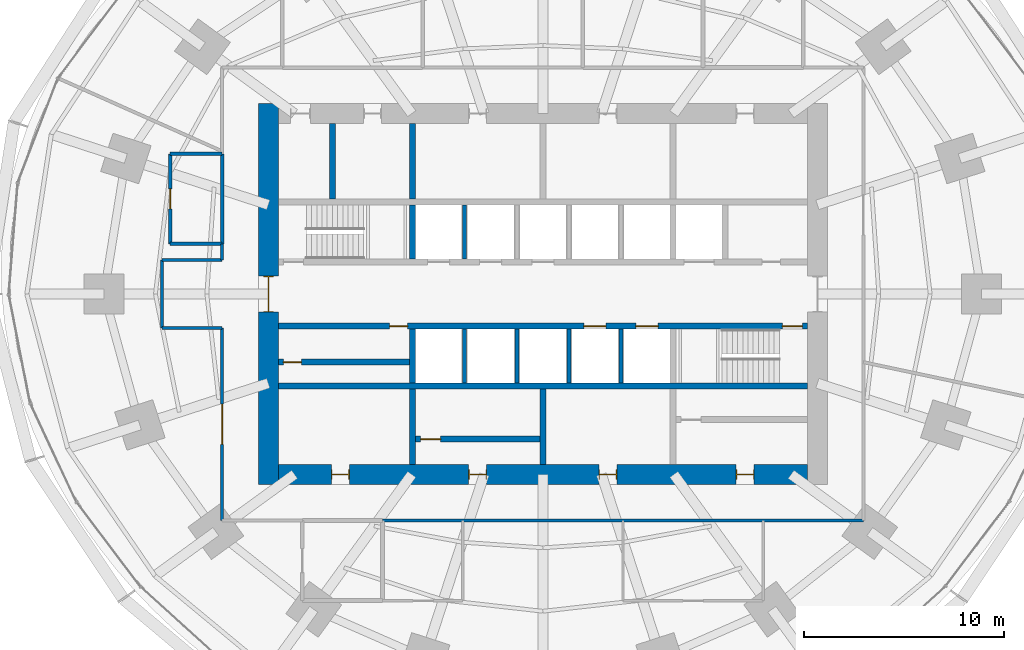
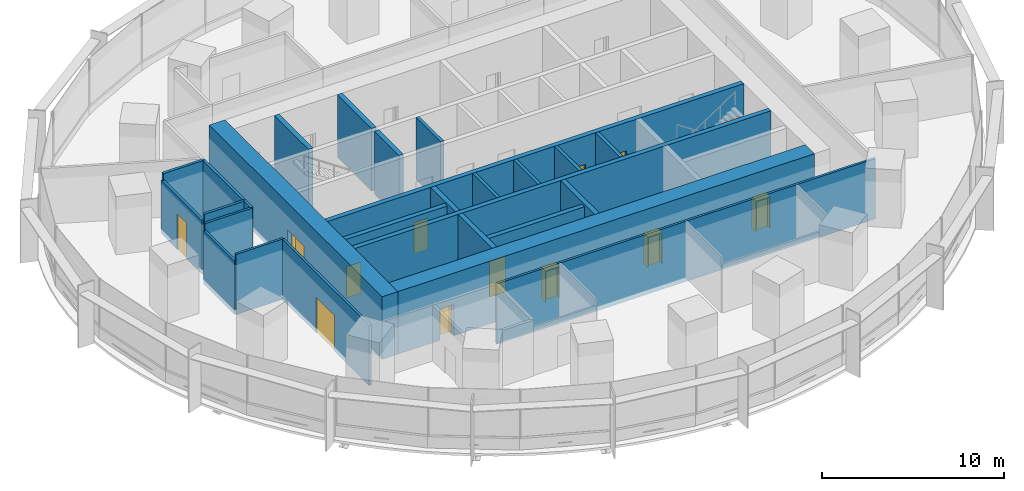
# One storey, part 11 of 15: 27 walls, 13 doors, 13 openings.
"""IFC4 building model written with IfcOpenShell, lengths in metres."""

from ifc_helpers import new_model, si_unit, direction, frame, frame_2d, origin, place, context, subcontext, project, spatial, rectangle, extrude, material, layer, layer_set, type_object, element, fill, save


model = new_model("IFC4")

# Units and contexts
model_context = context("Model", 3, precision=1e-05, world=origin(), true_north=direction((0.0, 1.0)))
body_context = subcontext(model_context, "Body", "Model", "MODEL_VIEW")
ifc_project = project(units=[si_unit("LENGTHUNIT", "METRE"), si_unit("AREAUNIT", "SQUARE_METRE"), si_unit("VOLUMEUNIT", "CUBIC_METRE"), si_unit("PLANEANGLEUNIT", "RADIAN"), si_unit("MASSUNIT", "GRAM", prefix="KILO")], contexts=[model_context])

# Site, building, storey
site_placement = place(None, origin())
site = spatial("IfcSite", under=ifc_project, at=site_placement, CompositionType="ELEMENT")
building_placement = place(site_placement, origin())
building = spatial("IfcBuilding", under=site, at=building_placement, Name="Marramba Exchange Tower", CompositionType="ELEMENT")
storey_placement = place(building_placement, frame((0.0, 0.0, 36.39990234375)))
storey = spatial("IfcBuildingStorey", under=building, at=storey_placement, Name="L08", CompositionType="ELEMENT", Elevation=36.39990234375)

# Walls
ifc_material_1 = material(Name="Plasterboard on staggered double steel studs, acoustic insulation", Category="steel")
ifc_layer_1 = layer(ifc_material_1, 0.169921875)
ifc_layer_set_1 = layer_set([ifc_layer_1], Name="Acoustic partition 170")
wall_type_1 = type_object("IfcWallType", Name="Acoustic partition 170", PredefinedType="PARTITIONING", material=ifc_layer_set_1)
wall_1_placement = place(storey_placement, frame((-16.0, 7.0, 0.0), z_axis=(0.0, 0.0, 1.0), x_axis=(-1.0, 0.0, 0.0)))
element("IfcWall", 1, at=wall_1_placement, inside=storey, type_object=wall_type_1, Name="Acoustic partition L08 32", PredefinedType="PARTITIONING", context=body_context, shape_type="SweptSolid", body=[
    extrude(rectangle(XDim=2.60009765625, YDim=0.169921875, at=frame_2d((1.300048828125, 0.0))), origin(), (0.0, 0.0, 1.0), 4.0400390625),
])
wall_2_placement = place(storey_placement, frame((-16.0, 2.5, 0.0), z_axis=(0.0, 0.0, 1.0), x_axis=(0.0, 1.0, 0.0)))
element("IfcWall", 2, at=wall_2_placement, inside=storey, type_object=wall_type_1, Name="Acoustic partition L08 33", PredefinedType="PARTITIONING", context=body_context, shape_type="SweptSolid", body=[
    extrude(rectangle(XDim=4.5, YDim=0.169921875, at=frame_2d((2.25, 0.0))), origin(), (0.0, 0.0, 1.0), 4.0400390625),
])

# Wall, opening, door
wall_3_placement = place(storey_placement, frame((-18.60009765625, 7.0, 0.0), z_axis=(0.0, 0.0, 1.0), x_axis=(0.0, -1.0, 0.0)))
wall_3 = element("IfcWall", 3, at=wall_3_placement, inside=storey, type_object=wall_type_1, Name="Acoustic partition L08 34", PredefinedType="PARTITIONING", context=body_context, shape_type="SweptSolid", body=[
    extrude(rectangle(XDim=4.5, YDim=0.169921875, at=frame_2d((2.25, 0.0))), origin(), (0.0, 0.0, 1.0), 3.586181640625),
])
opening_1_placement = place(wall_3_placement, frame((1.75, 0.0, 0.0)))
opening_1 = element("IfcOpeningElement", 4, at=opening_1_placement, cuts=wall_3, Name="Opening D9", PredefinedType="OPENING", context=body_context, shape_type="SweptSolid", body=[
    extrude(rectangle(XDim=1.0, YDim=2.39990234375, at=frame_2d((0.5, 1.199951171875))), frame((0.0, 0.094970703125, 0.0), z_axis=(0.0, -1.0, 0.0), x_axis=(1.0, 0.0, 0.0)), (0.0, 0.0, 1.0), 0.18994140625),
])
ifc_material_2 = material(Name="Timber door", Category="wood")
door_type_1 = type_object("IfcDoorType", Name="Room door 1000x2400", OperationType="SINGLE_SWING_LEFT", PredefinedType="DOOR", material=ifc_material_2)
door_1_placement = place(opening_1_placement, origin())
door_1 = element("IfcDoor", 5, at=door_1_placement, inside=storey, type_object=door_type_1, Name="D9 Interview Room L08", OperationType="SINGLE_SWING_RIGHT", OverallHeight=2.39990234375, OverallWidth=1.0, PredefinedType="DOOR", context=body_context, shape_type="SweptSolid", body=[
    extrude(rectangle(XDim=1.0, YDim=2.39990234375, at=frame_2d((0.5, 1.199951171875))), frame((0.0, 0.02490234375, 0.0), z_axis=(0.0, -1.0, 0.0), x_axis=(1.0, 0.0, 0.0)), (0.0, 0.0, 1.0), 0.050048828125),
])
fill(opening_1, door_1)

# Walls
wall_4_placement = place(storey_placement, frame((-18.60009765625, 2.5, 0.0), z_axis=(0.0, 0.0, 1.0), x_axis=(1.0, 0.0, 0.0)))
element("IfcWall", 6, at=wall_4_placement, inside=storey, type_object=wall_type_1, Name="Acoustic partition L08 35", PredefinedType="PARTITIONING", context=body_context, shape_type="SweptSolid", body=[
    extrude(rectangle(XDim=2.60009765625, YDim=0.169921875, at=frame_2d((1.300048828125, 0.0))), origin(), (0.0, 0.0, 1.0), 4.0400390625),
])
ifc_material_3 = material(Name="Concrete N50", Category="concrete")
ifc_layer_2 = layer(ifc_material_3, 0.199951171875)
ifc_layer_set_2 = layer_set([ifc_layer_2], Name="Core shaft wall 200")
wall_type_2 = type_object("IfcWallType", Name="Core shaft wall 200", PredefinedType="SHEAR", material=ifc_layer_set_2)
for number, where, z_axis, x_axis, name in (
    (7, (-3.89990234375, 1.75, 0.0), (0.0, 0.0, 1.0), (0.0, 1.0, 0.0), "Core wall SHN1 L08"),
    (8, (-3.89990234375, -1.75, 0.0), (0.0, 0.0, 1.0), (0.0, -1.0, 0.0), "Core wall SHS1 L08"),
    (9, (-1.300048828125, -1.75, 0.0), (0.0, 0.0, 1.0), (0.0, -1.0, 0.0), "Core wall SHS2 L08"),
    (10, (1.300048828125, -1.75, 0.0), (0.0, 0.0, 1.0), (0.0, -1.0, 0.0), "Core wall SHS3 L08"),
    (11, (3.89990234375, -1.75, 0.0), (0.0, 0.0, 1.0), (0.0, -1.0, 0.0), "Core wall SHS4 L08"),
):
    element("IfcWall", number, at=place(storey_placement, frame(where, z_axis=z_axis, x_axis=x_axis)), inside=storey, type_object=wall_type_2, Name=name, PredefinedType="SHEAR", context=body_context, shape_type="SweptSolid", body=[
        extrude(rectangle(XDim=2.699951171875, YDim=0.199951171875, at=frame_2d((1.35009765625, 0.0))), origin(), (0.0, 0.0, 1.0), 4.2001953125),
    ])

# Wall, openings, doors
ifc_layer_3 = layer(ifc_material_3, 1.0)
ifc_layer_set_3 = layer_set([ifc_layer_3], Name="Core wall 1000")
wall_type_3 = type_object("IfcWallType", Name="Core wall 1000", PredefinedType="SHEAR", material=ifc_layer_set_3)
wall_5_placement = place(storey_placement, frame((-13.199951171875, -9.0, 0.0), z_axis=(0.0, 0.0, 1.0), x_axis=(1.0, 0.0, 0.0)))
wall_5 = element("IfcWall", 12, at=wall_5_placement, inside=storey, type_object=wall_type_3, Name="Core wall S L08", PredefinedType="SHEAR", context=body_context, shape_type="SweptSolid", body=[
    extrude(rectangle(XDim=26.39990234375, YDim=1.0, at=frame_2d((13.199951171875, 0.0))), origin(), (0.0, 0.0, 1.0), 4.2001953125),
])
opening_2_placement = place(wall_5_placement, frame((2.64990234375, 0.0, 0.0)))
opening_2 = element("IfcOpeningElement", 13, at=opening_2_placement, cuts=wall_5, Name="Opening D5", PredefinedType="OPENING", context=body_context, shape_type="SweptSolid", body=[
    extrude(rectangle(XDim=0.89990234375, YDim=2.10009765625, at=frame_2d((0.449951171875, 1.050048828125))), frame((0.0, 0.510009765625, 0.0), z_axis=(0.0, -1.0, 0.0), x_axis=(1.0, 0.0, 0.0)), (0.0, 0.0, 1.0), 1.02001953125),
])
opening_3_placement = place(wall_5_placement, frame((9.5, 0.0, 0.0)))
opening_3 = element("IfcOpeningElement", 14, at=opening_3_placement, cuts=wall_5, Name="Opening D5", PredefinedType="OPENING", context=body_context, shape_type="SweptSolid", body=[
    extrude(rectangle(XDim=0.89990234375, YDim=2.10009765625, at=frame_2d((0.449951171875, 1.050048828125))), frame((0.0, 0.510009765625, 0.0), z_axis=(0.0, -1.0, 0.0), x_axis=(1.0, 0.0, 0.0)), (0.0, 0.0, 1.0), 1.02001953125),
])
opening_4_placement = place(wall_5_placement, frame((16.0, 0.0, 0.0)))
opening_4 = element("IfcOpeningElement", 15, at=opening_4_placement, cuts=wall_5, Name="Opening D5", PredefinedType="OPENING", context=body_context, shape_type="SweptSolid", body=[
    extrude(rectangle(XDim=0.89990234375, YDim=2.10009765625, at=frame_2d((0.449951171875, 1.050048828125))), frame((0.0, 0.510009765625, 0.0), z_axis=(0.0, -1.0, 0.0), x_axis=(1.0, 0.0, 0.0)), (0.0, 0.0, 1.0), 1.02001953125),
])
opening_5_placement = place(wall_5_placement, frame((22.85009765625, 0.0, 0.0)))
opening_5 = element("IfcOpeningElement", 16, at=opening_5_placement, cuts=wall_5, Name="Opening D5", PredefinedType="OPENING", context=body_context, shape_type="SweptSolid", body=[
    extrude(rectangle(XDim=0.89990234375, YDim=2.10009765625, at=frame_2d((0.449951171875, 1.050048828125))), frame((0.0, 0.510009765625, 0.0), z_axis=(0.0, -1.0, 0.0), x_axis=(1.0, 0.0, 0.0)), (0.0, 0.0, 1.0), 1.02001953125),
])
ifc_material_4 = material(Name="Steel-framed door", Category="steel")
door_type_2 = type_object("IfcDoorType", Name="Service door 900x2100", OperationType="SINGLE_SWING_LEFT", PredefinedType="DOOR", material=ifc_material_4)
door_2_placement = place(opening_2_placement, origin())
door_2 = element("IfcDoor", 17, at=door_2_placement, inside=storey, type_object=door_type_2, Name="D5 ahu L08", OperationType="SINGLE_SWING_LEFT", OverallHeight=2.10009765625, OverallWidth=0.89990234375, PredefinedType="DOOR", context=body_context, shape_type="SweptSolid", body=[
    extrude(rectangle(XDim=0.81982421875, YDim=2.06005859375, at=frame_2d((0.449951171875, 1.030029296875))), frame((0.0, 0.02490234375, 0.0), z_axis=(0.0, -1.0, 0.0), x_axis=(1.0, 0.0, 0.0)), (0.0, 0.0, 1.0), 0.050048828125),
    extrude(rectangle(XDim=0.04, YDim=2.10009765625, at=frame_2d((0.02001953125, 1.050048828125))), frame((0.0, 0.25, 0.0), z_axis=(0.0, -1.0, 0.0), x_axis=(1.0, 0.0, 0.0)), (0.0, 0.0, 1.0), 0.5),
    extrude(rectangle(XDim=0.04, YDim=2.10009765625, at=frame_2d((0.8798828125, 1.050048828125))), frame((0.0, 0.25, 0.0), z_axis=(0.0, -1.0, 0.0), x_axis=(1.0, 0.0, 0.0)), (0.0, 0.0, 1.0), 0.5),
    extrude(rectangle(XDim=0.81982421875, YDim=0.04, at=frame_2d((0.449951171875, 2.080078125))), frame((0.0, 0.25, 0.0), z_axis=(0.0, -1.0, 0.0), x_axis=(1.0, 0.0, 0.0)), (0.0, 0.0, 1.0), 0.5),
])
fill(opening_2, door_2)
door_3_placement = place(opening_3_placement, origin())
door_3 = element("IfcDoor", 18, at=door_3_placement, inside=storey, type_object=door_type_2, Name="D5 store L08", OperationType="SINGLE_SWING_RIGHT", OverallHeight=2.10009765625, OverallWidth=0.89990234375, PredefinedType="DOOR", context=body_context, shape_type="SweptSolid", body=[
    extrude(rectangle(XDim=0.81982421875, YDim=2.06005859375, at=frame_2d((0.449951171875, 1.030029296875))), frame((0.0, 0.02490234375, 0.0), z_axis=(0.0, -1.0, 0.0), x_axis=(1.0, 0.0, 0.0)), (0.0, 0.0, 1.0), 0.050048828125),
    extrude(rectangle(XDim=0.04, YDim=2.10009765625, at=frame_2d((0.02001953125, 1.050048828125))), frame((0.0, 0.25, 0.0), z_axis=(0.0, -1.0, 0.0), x_axis=(1.0, 0.0, 0.0)), (0.0, 0.0, 1.0), 0.5),
    extrude(rectangle(XDim=0.04, YDim=2.10009765625, at=frame_2d((0.8798828125, 1.050048828125))), frame((0.0, 0.25, 0.0), z_axis=(0.0, -1.0, 0.0), x_axis=(1.0, 0.0, 0.0)), (0.0, 0.0, 1.0), 0.5),
    extrude(rectangle(XDim=0.81982421875, YDim=0.04, at=frame_2d((0.449951171875, 2.080078125))), frame((0.0, 0.25, 0.0), z_axis=(0.0, -1.0, 0.0), x_axis=(1.0, 0.0, 0.0)), (0.0, 0.0, 1.0), 0.5),
])
fill(opening_3, door_3)
door_4_placement = place(opening_4_placement, origin())
door_4 = element("IfcDoor", 19, at=door_4_placement, inside=storey, type_object=door_type_2, Name="D5 switch L08", OperationType="SINGLE_SWING_RIGHT", OverallHeight=2.10009765625, OverallWidth=0.89990234375, PredefinedType="DOOR", context=body_context, shape_type="SweptSolid", body=[
    extrude(rectangle(XDim=0.81982421875, YDim=2.06005859375, at=frame_2d((0.449951171875, 1.030029296875))), frame((0.0, 0.02490234375, 0.0), z_axis=(0.0, -1.0, 0.0), x_axis=(1.0, 0.0, 0.0)), (0.0, 0.0, 1.0), 0.050048828125),
    extrude(rectangle(XDim=0.04, YDim=2.10009765625, at=frame_2d((0.02001953125, 1.050048828125))), frame((0.0, 0.25, 0.0), z_axis=(0.0, -1.0, 0.0), x_axis=(1.0, 0.0, 0.0)), (0.0, 0.0, 1.0), 0.5),
    extrude(rectangle(XDim=0.04, YDim=2.10009765625, at=frame_2d((0.8798828125, 1.050048828125))), frame((0.0, 0.25, 0.0), z_axis=(0.0, -1.0, 0.0), x_axis=(1.0, 0.0, 0.0)), (0.0, 0.0, 1.0), 0.5),
    extrude(rectangle(XDim=0.81982421875, YDim=0.04, at=frame_2d((0.449951171875, 2.080078125))), frame((0.0, 0.25, 0.0), z_axis=(0.0, -1.0, 0.0), x_axis=(1.0, 0.0, 0.0)), (0.0, 0.0, 1.0), 0.5),
])
fill(opening_4, door_4)
door_5_placement = place(opening_5_placement, origin())
door_5 = element("IfcDoor", 20, at=door_5_placement, inside=storey, type_object=door_type_2, Name="D5 cstore L08", OperationType="SINGLE_SWING_RIGHT", OverallHeight=2.10009765625, OverallWidth=0.89990234375, PredefinedType="DOOR", context=body_context, shape_type="SweptSolid", body=[
    extrude(rectangle(XDim=0.81982421875, YDim=2.06005859375, at=frame_2d((0.449951171875, 1.030029296875))), frame((0.0, 0.02490234375, 0.0), z_axis=(0.0, -1.0, 0.0), x_axis=(1.0, 0.0, 0.0)), (0.0, 0.0, 1.0), 0.050048828125),
    extrude(rectangle(XDim=0.04, YDim=2.10009765625, at=frame_2d((0.02001953125, 1.050048828125))), frame((0.0, 0.25, 0.0), z_axis=(0.0, -1.0, 0.0), x_axis=(1.0, 0.0, 0.0)), (0.0, 0.0, 1.0), 0.5),
    extrude(rectangle(XDim=0.04, YDim=2.10009765625, at=frame_2d((0.8798828125, 1.050048828125))), frame((0.0, 0.25, 0.0), z_axis=(0.0, -1.0, 0.0), x_axis=(1.0, 0.0, 0.0)), (0.0, 0.0, 1.0), 0.5),
    extrude(rectangle(XDim=0.81982421875, YDim=0.04, at=frame_2d((0.449951171875, 2.080078125))), frame((0.0, 0.25, 0.0), z_axis=(0.0, -1.0, 0.0), x_axis=(1.0, 0.0, 0.0)), (0.0, 0.0, 1.0), 0.5),
])
fill(opening_5, door_5)

# Wall, opening, door
wall_6_placement = place(storey_placement, frame((-13.699951171875, 9.5, 0.0), z_axis=(0.0, 0.0, 1.0), x_axis=(0.0, -1.0, 0.0)))
wall_6 = element("IfcWall", 21, at=wall_6_placement, inside=storey, type_object=wall_type_3, Name="Core wall W L08", PredefinedType="SHEAR", context=body_context, shape_type="SweptSolid", body=[
    extrude(rectangle(XDim=19.0, YDim=1.0, at=frame_2d((9.5, 0.0))), origin(), (0.0, 0.0, 1.0), 4.2001953125),
])
opening_6_placement = place(wall_6_placement, frame((8.60009765625, 0.0, 0.0)))
opening_6 = element("IfcOpeningElement", 22, at=opening_6_placement, cuts=wall_6, Name="Opening D1", PredefinedType="OPENING", context=body_context, shape_type="SweptSolid", body=[
    extrude(rectangle(XDim=1.800048828125, YDim=2.39990234375, at=frame_2d((0.89990234375, 1.199951171875))), frame((0.0, 0.510009765625, 0.0), z_axis=(0.0, -1.0, 0.0), x_axis=(1.0, 0.0, 0.0)), (0.0, 0.0, 1.0), 1.02001953125),
])
door_type_3 = type_object("IfcDoorType", Name="Lobby exit door 1800x2400", OperationType="DOUBLE_DOOR_SINGLE_SWING", PredefinedType="DOOR", material=ifc_material_4)
door_6_placement = place(opening_6_placement, origin())
door_6 = element("IfcDoor", 23, at=door_6_placement, inside=storey, type_object=door_type_3, Name="D1 lobby exit west L08", OperationType="DOUBLE_DOOR_SINGLE_SWING", OverallHeight=2.39990234375, OverallWidth=1.800048828125, PredefinedType="DOOR", context=body_context, shape_type="SweptSolid", body=[
    extrude(rectangle(XDim=1.719970703125, YDim=2.35986328125, at=frame_2d((0.89990234375, 1.179931640625))), frame((0.0, 0.02490234375, 0.0), z_axis=(0.0, -1.0, 0.0), x_axis=(1.0, 0.0, 0.0)), (0.0, 0.0, 1.0), 0.050048828125),
    extrude(rectangle(XDim=0.04, YDim=2.39990234375, at=frame_2d((0.02001953125, 1.199951171875))), frame((0.0, 0.25, 0.0), z_axis=(0.0, -1.0, 0.0), x_axis=(1.0, 0.0, 0.0)), (0.0, 0.0, 1.0), 0.5),
    extrude(rectangle(XDim=0.04, YDim=2.39990234375, at=frame_2d((1.780029296875, 1.199951171875))), frame((0.0, 0.25, 0.0), z_axis=(0.0, -1.0, 0.0), x_axis=(1.0, 0.0, 0.0)), (0.0, 0.0, 1.0), 0.5),
    extrude(rectangle(XDim=1.719970703125, YDim=0.04, at=frame_2d((0.89990234375, 2.3798828125))), frame((0.0, 0.25, 0.0), z_axis=(0.0, -1.0, 0.0), x_axis=(1.0, 0.0, 0.0)), (0.0, 0.0, 1.0), 0.5),
])
fill(opening_6, door_6)

# Wall, openings, doors
ifc_layer_4 = layer(ifc_material_3, 0.300048828125)
ifc_layer_set_4 = layer_set([ifc_layer_4], Name="Core wall 300")
wall_type_4 = type_object("IfcWallType", Name="Core wall 300", PredefinedType="SHEAR", material=ifc_layer_set_4)
wall_7_placement = place(storey_placement, frame((-13.199951171875, -1.60009765625, 0.0), z_axis=(0.0, 0.0, 1.0), x_axis=(1.0, 0.0, 0.0)))
wall_7 = element("IfcWall", 24, at=wall_7_placement, inside=storey, type_object=wall_type_4, Name="Core wall LS L08", PredefinedType="SHEAR", context=body_context, shape_type="SweptSolid", body=[
    extrude(rectangle(XDim=26.39990234375, YDim=0.300048828125, at=frame_2d((13.199951171875, 0.0))), origin(), (0.0, 0.0, 1.0), 4.2001953125),
])
opening_7_placement = place(wall_7_placement, frame((25.14990234375, 0.0, 0.0)))
opening_7 = element("IfcOpeningElement", 25, at=opening_7_placement, cuts=wall_7, Name="Opening D2", PredefinedType="OPENING", context=body_context, shape_type="SweptSolid", body=[
    extrude(rectangle(XDim=1.0, YDim=2.10009765625, at=frame_2d((0.5, 1.050048828125))), frame((0.0, 0.159912109375, 0.0), z_axis=(0.0, -1.0, 0.0), x_axis=(1.0, 0.0, 0.0)), (0.0, 0.0, 1.0), 0.320068359375),
])
opening_8_placement = place(wall_7_placement, frame((15.25, 0.0, 0.0)))
opening_8 = element("IfcOpeningElement", 26, at=opening_8_placement, cuts=wall_7, Name="Opening LD2", PredefinedType="OPENING", context=body_context, shape_type="SweptSolid", body=[
    extrude(rectangle(XDim=1.10009765625, YDim=2.300048828125, at=frame_2d((0.550048828125, 1.14990234375))), frame((0.0, 0.159912109375, 0.0), z_axis=(0.0, -1.0, 0.0), x_axis=(1.0, 0.0, 0.0)), (0.0, 0.0, 1.0), 0.320068359375),
])
opening_9_placement = place(wall_7_placement, frame((17.85009765625, 0.0, 0.0)))
opening_9 = element("IfcOpeningElement", 27, at=opening_9_placement, cuts=wall_7, Name="Opening LD2", PredefinedType="OPENING", context=body_context, shape_type="SweptSolid", body=[
    extrude(rectangle(XDim=1.10009765625, YDim=2.300048828125, at=frame_2d((0.550048828125, 1.14990234375))), frame((0.0, 0.159912109375, 0.0), z_axis=(0.0, -1.0, 0.0), x_axis=(1.0, 0.0, 0.0)), (0.0, 0.0, 1.0), 0.320068359375),
])
opening_10_placement = place(wall_7_placement, frame((5.550048828125, 0.0, 0.0)))
opening_10 = element("IfcOpeningElement", 28, at=opening_10_placement, cuts=wall_7, Name="Opening D5", PredefinedType="OPENING", context=body_context, shape_type="SweptSolid", body=[
    extrude(rectangle(XDim=0.89990234375, YDim=2.10009765625, at=frame_2d((0.449951171875, 1.050048828125))), frame((0.0, 0.159912109375, 0.0), z_axis=(0.0, -1.0, 0.0), x_axis=(1.0, 0.0, 0.0)), (0.0, 0.0, 1.0), 0.320068359375),
])
door_type_4 = type_object("IfcDoorType", Name="Emergency lift landing door 1100x2300", OperationType="SLIDING_TO_LEFT", PredefinedType="DOOR", material=ifc_material_4)
door_7_placement = place(opening_8_placement, frame((1.10009765625, 0.0, 0.0), z_axis=(0.0, 0.0, 1.0), x_axis=(-1.0, 0.0, 0.0)))
door_7 = element("IfcDoor", 29, at=door_7_placement, inside=storey, type_object=door_type_4, Name="FL1 landing door L08", OperationType="SLIDING_TO_RIGHT", OverallHeight=2.300048828125, OverallWidth=1.10009765625, PredefinedType="DOOR", context=body_context, shape_type="SweptSolid", body=[
    extrude(rectangle(XDim=1.10009765625, YDim=2.300048828125, at=frame_2d((0.550048828125, 1.14990234375))), frame((0.0, 0.025146484375, 0.0), z_axis=(0.0, -1.0, 0.0), x_axis=(1.0, 0.0, 0.0)), (0.0, 0.0, 1.0), 0.050048828125),
])
fill(opening_8, door_7)
door_8_placement = place(opening_9_placement, frame((1.10009765625, 0.0, 0.0), z_axis=(0.0, 0.0, 1.0), x_axis=(-1.0, 0.0, 0.0)))
door_8 = element("IfcDoor", 30, at=door_8_placement, inside=storey, type_object=door_type_4, Name="FL2 landing door L08", OperationType="SLIDING_TO_LEFT", OverallHeight=2.300048828125, OverallWidth=1.10009765625, PredefinedType="DOOR", context=body_context, shape_type="SweptSolid", body=[
    extrude(rectangle(XDim=1.10009765625, YDim=2.300048828125, at=frame_2d((0.550048828125, 1.14990234375))), frame((0.0, 0.025146484375, 0.0), z_axis=(0.0, -1.0, 0.0), x_axis=(1.0, 0.0, 0.0)), (0.0, 0.0, 1.0), 0.050048828125),
])
fill(opening_9, door_8)
door_9_placement = place(opening_10_placement, frame((0.89990234375, 0.0, 0.0), z_axis=(0.0, 0.0, 1.0), x_axis=(-1.0, 0.0, 0.0)))
door_9 = element("IfcDoor", 31, at=door_9_placement, inside=storey, type_object=door_type_2, Name="D5 electrical riser L08", OperationType="SINGLE_SWING_LEFT", OverallHeight=2.10009765625, OverallWidth=0.89990234375, PredefinedType="DOOR", context=body_context, shape_type="SweptSolid", body=[
    extrude(rectangle(XDim=0.89990234375, YDim=2.10009765625, at=frame_2d((0.449951171875, 1.050048828125))), frame((0.0, 0.025146484375, 0.0), z_axis=(0.0, -1.0, 0.0), x_axis=(1.0, 0.0, 0.0)), (0.0, 0.0, 1.0), 0.050048828125),
])
fill(opening_10, door_9)
door_type_5 = type_object("IfcDoorType", Name="Stair door 1000x2100", OperationType="SINGLE_SWING_LEFT", PredefinedType="DOOR", material=ifc_material_4)
door_10_placement = place(opening_7_placement, frame((1.0, 0.0, 0.0), z_axis=(0.0, 0.0, 1.0), x_axis=(-1.0, 0.0, 0.0)))
door_10 = element("IfcDoor", 32, at=door_10_placement, inside=storey, type_object=door_type_5, Name="D2 stair ST2 L08", OperationType="SINGLE_SWING_LEFT", OverallHeight=2.10009765625, OverallWidth=1.0, PredefinedType="DOOR", context=body_context, shape_type="SweptSolid", body=[
    extrude(rectangle(XDim=1.0, YDim=2.10009765625, at=frame_2d((0.5, 1.050048828125))), frame((0.0, 0.025146484375, 0.0), z_axis=(0.0, -1.0, 0.0), x_axis=(1.0, 0.0, 0.0)), (0.0, 0.0, 1.0), 0.050048828125),
])
fill(opening_7, door_10)

# Walls
wall_8_placement = place(storey_placement, frame((-13.199951171875, -4.60009765625, 0.0), z_axis=(0.0, 0.0, 1.0), x_axis=(1.0, 0.0, 0.0)))
element("IfcWall", 33, at=wall_8_placement, inside=storey, type_object=wall_type_4, Name="Core wall BS L08", PredefinedType="SHEAR", context=body_context, shape_type="SweptSolid", body=[
    extrude(rectangle(XDim=26.39990234375, YDim=0.300048828125, at=frame_2d((13.199951171875, 0.0))), origin(), (0.0, 0.0, 1.0), 4.2001953125),
])
wall_9_placement = place(storey_placement, frame((-6.5, 1.75, 0.0), z_axis=(0.0, 0.0, 1.0), x_axis=(0.0, 1.0, 0.0)))
element("IfcWall", 34, at=wall_9_placement, inside=storey, type_object=wall_type_4, Name="Core wall X0Na L08", PredefinedType="SHEAR", context=body_context, shape_type="SweptSolid", body=[
    extrude(rectangle(XDim=2.699951171875, YDim=0.300048828125, at=frame_2d((1.35009765625, 0.0))), origin(), (0.0, 0.0, 1.0), 4.2001953125),
])
wall_10_placement = place(storey_placement, frame((-6.5, 4.75, 0.0), z_axis=(0.0, 0.0, 1.0), x_axis=(0.0, 1.0, 0.0)))
element("IfcWall", 35, at=wall_10_placement, inside=storey, type_object=wall_type_4, Name="Core wall X0Nb L08", PredefinedType="SHEAR", context=body_context, shape_type="SweptSolid", body=[
    extrude(rectangle(XDim=3.75, YDim=0.300048828125, at=frame_2d((1.875, 0.0))), origin(), (0.0, 0.0, 1.0), 4.2001953125),
])
wall_11_placement = place(storey_placement, frame((-6.5, -1.75, 0.0), z_axis=(0.0, 0.0, 1.0), x_axis=(0.0, -1.0, 0.0)))
element("IfcWall", 36, at=wall_11_placement, inside=storey, type_object=wall_type_4, Name="Core wall X0Sa L08", PredefinedType="SHEAR", context=body_context, shape_type="SweptSolid", body=[
    extrude(rectangle(XDim=2.699951171875, YDim=0.300048828125, at=frame_2d((1.35009765625, 0.0))), origin(), (0.0, 0.0, 1.0), 4.2001953125),
])
for number, where, z_axis, x_axis, name in (
    (37, (-6.5, -4.75, 0.0), (0.0, 0.0, 1.0), (0.0, -1.0, 0.0), "Core wall X0Sb L08"),
    (38, (0.0, -4.75, 0.0), (0.0, 0.0, 1.0), (0.0, -1.0, 0.0), "Core wall MS L08"),
    (39, (-10.5, 4.75, 0.0), (0.0, 0.0, 1.0), (0.0, 1.0, 0.0), "Core wall WD L08"),
):
    element("IfcWall", number, at=place(storey_placement, frame(where, z_axis=z_axis, x_axis=x_axis)), inside=storey, type_object=wall_type_4, Name=name, PredefinedType="SHEAR", context=body_context, shape_type="SweptSolid", body=[
        extrude(rectangle(XDim=3.75, YDim=0.300048828125, at=frame_2d((1.875, 0.0))), origin(), (0.0, 0.0, 1.0), 4.2001953125),
    ])

# Wall, opening, door
ifc_material_5 = material(Name="Core-filled concrete blockwork", Category="masonry")
ifc_layer_5 = layer(ifc_material_5, 0.300048828125)
ifc_layer_set_5 = layer_set([ifc_layer_5], Name="Riser enclosure wall 300")
wall_type_5 = type_object("IfcWallType", Name="Riser enclosure wall 300", PredefinedType="SOLIDWALL", material=ifc_layer_set_5)
wall_12_placement = place(storey_placement, frame((-13.199951171875, -3.39990234375, 0.0), z_axis=(0.0, 0.0, 1.0), x_axis=(1.0, 0.0, 0.0)))
wall_12 = element("IfcWall", 40, at=wall_12_placement, inside=storey, type_object=wall_type_5, Name="Riser enclosure wall L08", PredefinedType="SOLIDWALL", context=body_context, shape_type="SweptSolid", body=[
    extrude(rectangle(XDim=6.550048828125, YDim=0.300048828125, at=frame_2d((3.27490234375, 0.0))), origin(), (0.0, 0.0, 1.0), 4.0400390625),
])
opening_11_placement = place(wall_12_placement, frame((0.25, 0.0, 0.0)))
opening_11 = element("IfcOpeningElement", 41, at=opening_11_placement, cuts=wall_12, Name="Opening D5", PredefinedType="OPENING", context=body_context, shape_type="SweptSolid", body=[
    extrude(rectangle(XDim=0.89990234375, YDim=2.10009765625, at=frame_2d((0.449951171875, 1.050048828125))), frame((0.0, 0.159912109375, 0.0), z_axis=(0.0, -1.0, 0.0), x_axis=(1.0, 0.0, 0.0)), (0.0, 0.0, 1.0), 0.320068359375),
])
door_11_placement = place(opening_11_placement, frame((0.89990234375, 0.0, 0.0), z_axis=(0.0, 0.0, 1.0), x_axis=(-1.0, 0.0, 0.0)))
door_11 = element("IfcDoor", 42, at=door_11_placement, inside=storey, type_object=door_type_2, Name="D5 electrical riser back L08", OperationType="SINGLE_SWING_RIGHT", OverallHeight=2.10009765625, OverallWidth=0.89990234375, PredefinedType="DOOR", context=body_context, shape_type="SweptSolid", body=[
    extrude(rectangle(XDim=0.89990234375, YDim=2.10009765625, at=frame_2d((0.449951171875, 1.050048828125))), frame((0.0, 0.025146484375, 0.0), z_axis=(0.0, -1.0, 0.0), x_axis=(1.0, 0.0, 0.0)), (0.0, 0.0, 1.0), 0.050048828125),
])
fill(opening_11, door_11)

ifc_material_6 = material(Name="Plasterboard on steel studs, insulated, unrated", Category="steel")
ifc_layer_6 = layer(ifc_material_6, 0.300048828125)
ifc_layer_set_6 = layer_set([ifc_layer_6], Name="Store partition 300")
wall_type_6 = type_object("IfcWallType", Name="Store partition 300", PredefinedType="PARTITIONING", material=ifc_layer_set_6)
wall_13_placement = place(storey_placement, frame((-6.35009765625, -7.239990234375, 0.0), z_axis=(0.0, 0.0, 1.0), x_axis=(1.0, 0.0, 0.0)))
wall_13 = element("IfcWall", 43, at=wall_13_placement, inside=storey, type_object=wall_type_6, Name="Store partition L08 store", PredefinedType="PARTITIONING", context=body_context, shape_type="SweptSolid", body=[
    extrude(rectangle(XDim=6.2001953125, YDim=0.300048828125, at=frame_2d((3.10009765625, 0.0))), origin(), (0.0, 0.0, 1.0), 4.0400390625),
])
opening_12_placement = place(wall_13_placement, frame((0.25, 0.0, 0.0)))
opening_12 = element("IfcOpeningElement", 44, at=opening_12_placement, cuts=wall_13, Name="Opening D9", PredefinedType="OPENING", context=body_context, shape_type="SweptSolid", body=[
    extrude(rectangle(XDim=1.0, YDim=2.39990234375, at=frame_2d((0.5, 1.199951171875))), frame((0.0, 0.159912109375, 0.0), z_axis=(0.0, -1.0, 0.0), x_axis=(1.0, 0.0, 0.0)), (0.0, 0.0, 1.0), 0.320068359375),
])
door_12_placement = place(opening_12_placement, frame((1.0, 0.0, 0.0), z_axis=(0.0, 0.0, 1.0), x_axis=(-1.0, 0.0, 0.0)))
door_12 = element("IfcDoor", 45, at=door_12_placement, inside=storey, type_object=door_type_1, Name="D9 stationery store L08", OperationType="SINGLE_SWING_RIGHT", OverallHeight=2.39990234375, OverallWidth=1.0, PredefinedType="DOOR", context=body_context, shape_type="SweptSolid", body=[
    extrude(rectangle(XDim=1.0, YDim=2.39990234375, at=frame_2d((0.5, 1.199951171875))), frame((0.0, 0.025146484375, 0.0), z_axis=(0.0, -1.0, 0.0), x_axis=(1.0, 0.0, 0.0)), (0.0, 0.0, 1.0), 0.050048828125),
])
fill(opening_12, door_12)

# Wall
ifc_material_7 = material(Name="Fire-rated plasterboard on steel studs, acoustic insulation", Category="steel")
ifc_layer_7 = layer(ifc_material_7, 0.14990234375)
ifc_layer_set_7 = layer_set([ifc_layer_7], Name="Tenancy wall 150")
wall_type_7 = type_object("IfcWallType", Name="Tenancy wall 150", PredefinedType="PARTITIONING", material=ifc_layer_set_7)
wall_14_placement = place(storey_placement, frame((-19.0, -1.699951171875, 0.0), z_axis=(0.0, 0.0, 1.0), x_axis=(1.0, 0.0, 0.0)))
element("IfcWall", 46, at=wall_14_placement, inside=storey, type_object=wall_type_7, Name="Tenancy wall L08 01", PredefinedType="PARTITIONING", context=body_context, shape_type="SweptSolid", body=[
    extrude(rectangle(XDim=3.0, YDim=0.14990234375, at=frame_2d((1.5, 0.0))), origin(), (0.0, 0.0, 1.0), 4.0400390625),
])

# Wall, opening, door
wall_15_placement = place(storey_placement, frame((-16.0, -1.699951171875, 0.0), z_axis=(0.0, 0.0, 1.0), x_axis=(0.0, -1.0, 0.0)))
wall_15 = element("IfcWall", 47, at=wall_15_placement, inside=storey, type_object=wall_type_7, Name="Tenancy wall L08 02", PredefinedType="PARTITIONING", context=body_context, shape_type="SweptSolid", body=[
    extrude(rectangle(XDim=9.60009765625, YDim=0.14990234375, at=frame_2d((4.800048828125, 0.0))), origin(), (0.0, 0.0, 1.0), 4.0400390625),
])
opening_13_placement = place(wall_15_placement, frame((3.800048828125, 0.0, 0.0)))
opening_13 = element("IfcOpeningElement", 48, at=opening_13_placement, cuts=wall_15, Name="Opening D17", PredefinedType="OPENING", context=body_context, shape_type="SweptSolid", body=[
    extrude(rectangle(XDim=2.0, YDim=2.39990234375, at=frame_2d((1.0, 1.199951171875))), frame((0.0, 0.0849609375, 0.0), z_axis=(0.0, -1.0, 0.0), x_axis=(1.0, 0.0, 0.0)), (0.0, 0.0, 1.0), 0.169921875),
])
door_type_6 = type_object("IfcDoorType", Name="Trading floor entry door pair 2000x2400", OperationType="DOUBLE_DOOR_SINGLE_SWING", PredefinedType="DOOR", material=ifc_material_4)
door_13_placement = place(opening_13_placement, origin())
door_13 = element("IfcDoor", 49, at=door_13_placement, inside=storey, type_object=door_type_6, Name="D17 Trading Floor 2 L08", OperationType="DOUBLE_DOOR_SINGLE_SWING", OverallHeight=2.39990234375, OverallWidth=2.0, PredefinedType="DOOR", context=body_context, shape_type="SweptSolid", body=[
    extrude(rectangle(XDim=2.0, YDim=2.39990234375, at=frame_2d((1.0, 1.199951171875))), frame((0.0, 0.02490234375, 0.0), z_axis=(0.0, -1.0, 0.0), x_axis=(1.0, 0.0, 0.0)), (0.0, 0.0, 1.0), 0.050048828125),
])
fill(opening_13, door_13)

# Walls
wall_16_placement = place(storey_placement, frame((-8.0, -11.300048828125, 0.0), z_axis=(0.0, 0.0, 1.0), x_axis=(1.0, 0.0, 0.0)))
element("IfcWall", 50, at=wall_16_placement, inside=storey, type_object=wall_type_7, Name="Tenancy wall L08 11", PredefinedType="PARTITIONING", context=body_context, shape_type="SweptSolid", body=[
    extrude(rectangle(XDim=24.0, YDim=0.14990234375, at=frame_2d((12.0, 0.0))), origin(), (0.0, 0.0, 1.0), 4.0400390625),
])
wall_17_placement = place(storey_placement, frame((-16.0, 2.5, 0.0), z_axis=(0.0, 0.0, 1.0), x_axis=(0.0, -1.0, 0.0)))
element("IfcWall", 51, at=wall_17_placement, inside=storey, type_object=wall_type_7, Name="Tenancy wall L08 36", PredefinedType="PARTITIONING", context=body_context, shape_type="SweptSolid", body=[
    extrude(rectangle(XDim=0.800048828125, YDim=0.14990234375, at=frame_2d((0.39990234375, 0.0))), origin(), (0.0, 0.0, 1.0), 4.0400390625),
])
wall_18_placement = place(storey_placement, frame((-16.0, 1.699951171875, 0.0), z_axis=(0.0, 0.0, 1.0), x_axis=(-1.0, 0.0, 0.0)))
element("IfcWall", 52, at=wall_18_placement, inside=storey, type_object=wall_type_7, Name="Tenancy wall L08 37", PredefinedType="PARTITIONING", context=body_context, shape_type="SweptSolid", body=[
    extrude(rectangle(XDim=3.0, YDim=0.14990234375, at=frame_2d((1.5, 0.0))), origin(), (0.0, 0.0, 1.0), 4.0400390625),
])
wall_19_placement = place(storey_placement, frame((-19.0, 1.699951171875, 0.0), z_axis=(0.0, 0.0, 1.0), x_axis=(0.0, -1.0, 0.0)))
element("IfcWall", 53, at=wall_19_placement, inside=storey, type_object=wall_type_7, Name="Tenancy wall L08 38", PredefinedType="PARTITIONING", context=body_context, shape_type="SweptSolid", body=[
    extrude(rectangle(XDim=3.39990234375, YDim=0.14990234375, at=frame_2d((1.699951171875, 0.0))), origin(), (0.0, 0.0, 1.0), 3.586181640625),
])

save(model, "model.ifc")
